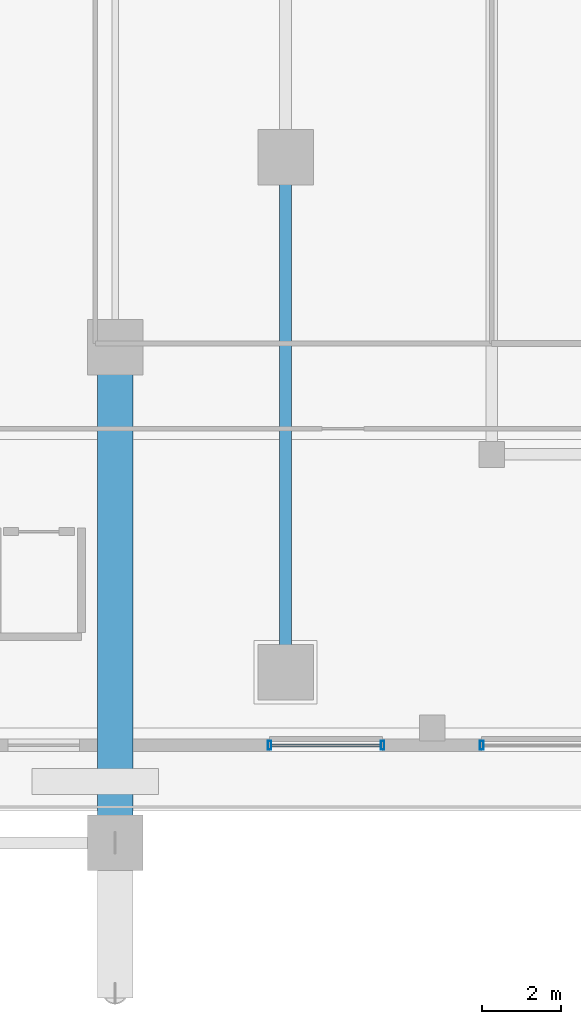
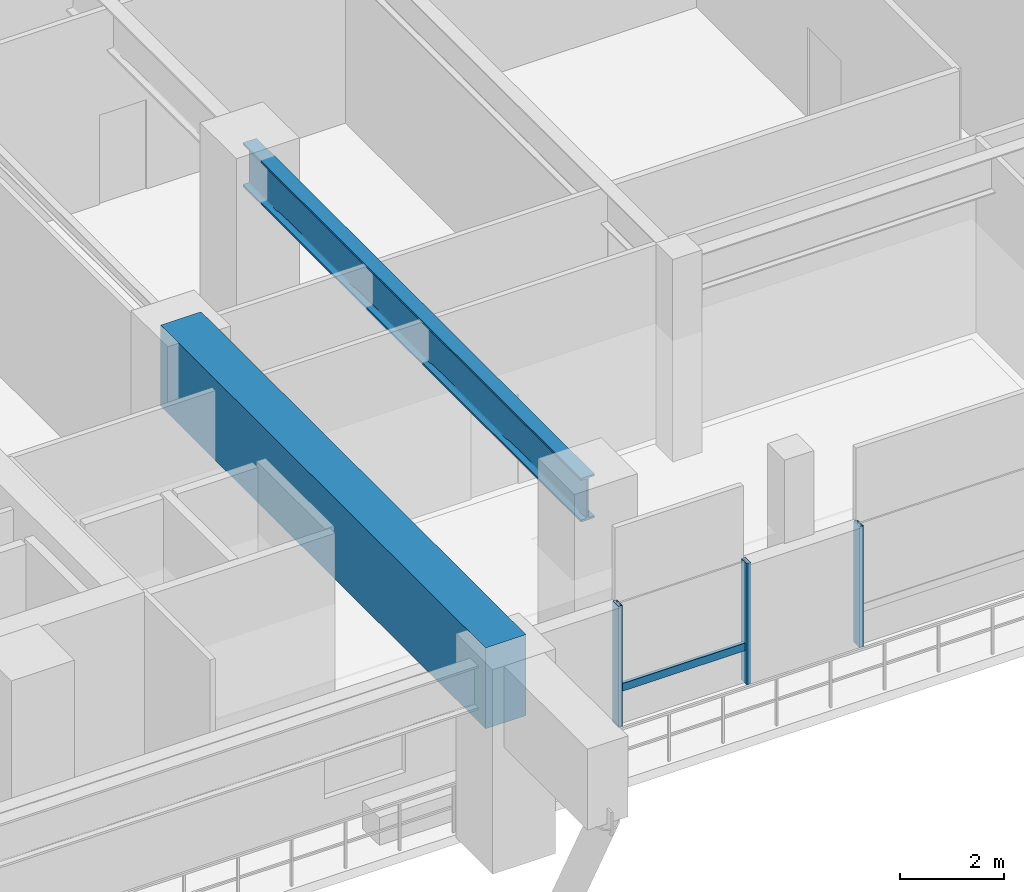
# One storey, part 2 of 25: 4 members, 2 beams, 2 elements without a shape of their own.
"""IFC4 building model written with IfcOpenShell, lengths in metres."""

from ifc_helpers import new_model, si_unit, direction, frame, origin, origin_2d, place, context, subcontext, project, spatial, rectangle, hollow_rectangle, i_section, extrude, material, material_profile, profile_set, type_object, element, aggregate, save


model = new_model("IFC4")

# Units and contexts
model_context = context("Model", 3, precision=1e-05, world=origin(), true_north=direction((0.0, 1.0)))
body_context = subcontext(model_context, "Body", "Model", "MODEL_VIEW")
ifc_project = project(units=[si_unit("LENGTHUNIT", "METRE"), si_unit("AREAUNIT", "SQUARE_METRE"), si_unit("VOLUMEUNIT", "CUBIC_METRE"), si_unit("PLANEANGLEUNIT", "RADIAN"), si_unit("MASSUNIT", "GRAM", prefix="KILO")], contexts=[model_context])

# Site, building, storey
site_placement = place(None, origin())
site = spatial("IfcSite", under=ifc_project, at=site_placement, CompositionType="ELEMENT")
building_placement = place(site_placement, origin())
building = spatial("IfcBuilding", under=site, at=building_placement, Name="Thornwick Lancets Civic Towers", CompositionType="ELEMENT")
storey_placement = place(building_placement, frame((0.0, 0.0, 23.10009765625)))
storey = spatial("IfcBuildingStorey", under=building, at=storey_placement, Name="L05", CompositionType="ELEMENT", Elevation=23.10009765625)

# Beams
ifc_material_1 = material(Name="Steel S460M", Category="steel")
ifc_material_profile_1 = material_profile(ifc_material_1, i_section(OverallWidth=0.305419921875, OverallDepth=1.02587890625, WebThickness=0.02685546875, FlangeThickness=0.0458984375, FilletRadius=0.030029296875, at=origin_2d()), Name="UKB 1016x305x437")
ifc_profile_set_1 = profile_set([ifc_material_profile_1], Name="Steel S460M")
beam_type_1 = type_object("IfcBeamType", Name="BM_TR_1016_437", PredefinedType="BEAM", material=ifc_profile_set_1)
beam_1_placement = place(storey_placement, frame((42.800048828125, 14.0, 4.046875), z_axis=(0.0, 1.0, 0.0), x_axis=(-1.0, 0.0, 0.0)))
element("IfcBeam", 1, at=beam_1_placement, inside=storey, type_object=beam_type_1, Name="BM-SPINE-L05-A-3-4", PredefinedType="BEAM", context=body_context, shape_type="SweptSolid", body=[
    extrude(i_section(OverallWidth=0.305419921875, OverallDepth=1.02587890625, WebThickness=0.02685546875, FlangeThickness=0.0458984375, FilletRadius=0.030029296875, at=origin_2d()), origin(), (0.0, 0.0, 1.0), 13.0),
])
ifc_material_2 = material(Name="Concrete C60/75", Category="concrete")
ifc_material_profile_2 = material_profile(ifc_material_2, rectangle(XDim=0.89990234375, YDim=1.89990234375, at=origin_2d()), Name="RC 900x1900")
ifc_profile_set_2 = profile_set([ifc_material_profile_2], Name="Concrete C60/75")
beam_type_2 = type_object("IfcBeamType", Name="BM_TR_RC1900", PredefinedType="BEAM", material=ifc_profile_set_2)
beam_2_placement = place(storey_placement, frame((38.5, 22.199951171875, 3.849853515625), z_axis=(0.0, -1.0, 0.0), x_axis=(1.0, 0.0, 0.0)))
element("IfcBeam", 2, at=beam_2_placement, inside=storey, type_object=beam_type_2, Name="TG-BACK-L06-A03", PredefinedType="BEAM", context=body_context, shape_type="SweptSolid", body=[
    extrude(rectangle(XDim=0.89990234375, YDim=1.89990234375, at=origin_2d()), origin(), (0.0, 0.0, 1.0), 12.5),
])

# Curtain wall, members
ifc_material_3 = material(Name="Terracotta-trimmed cascading podium ribbon curtain wall", Category="masonry")
curtain_wall_type = type_object("IfcCurtainWallType", Name="CW_SYS_02", PredefinedType="NOTDEFINED", material=ifc_material_3)
curtain_wall_1_placement = place(storey_placement, origin())
curtain_wall_1 = element("IfcCurtainWall", 3, at=curtain_wall_1_placement, inside=storey, type_object=curtain_wall_type, Name="L05 Curtain Wall CW-L05-POD-SC-S1", PredefinedType="NOTDEFINED")
ifc_material_4 = material(Name="Thermally broken bronze aluminium S355", Category="steel")
ifc_material_profile_3 = material_profile(ifc_material_4, hollow_rectangle(XDim=0.090087890625, YDim=0.219970703125, WallThickness=0.00634765625, at=origin_2d()), Name="RHS 220x90x6.3")
ifc_profile_set_3 = profile_set([ifc_material_profile_3], Name="Thermally broken bronze aluminium S355")
member_type_1 = type_object("IfcMemberType", Name="CW_MUL_220", PredefinedType="MULLION", material=ifc_profile_set_3)
member_1_placement = place(storey_placement, frame((42.39990234375, 12.159912109375, 0.0), z_axis=(0.0, 0.0, 1.0), x_axis=(1.0, 0.0, 0.0)))
member_1 = element("IfcMember", 4, at=member_1_placement, type_object=member_type_1, Name="CW-L05-POD-SC-S1 Mullion 0", PredefinedType="MULLION", context=body_context, shape_type="SweptSolid", body=[
    extrude(hollow_rectangle(XDim=0.090087890625, YDim=0.219970703125, WallThickness=0.00634765625, at=origin_2d()), origin(), (0.0, 0.0, 1.0), 2.83984375),
])
member_2_placement = place(storey_placement, frame((45.25, 12.159912109375, 0.0), z_axis=(0.0, 0.0, 1.0), x_axis=(1.0, 0.0, 0.0)))
member_2 = element("IfcMember", 5, at=member_2_placement, type_object=member_type_1, Name="CW-L05-POD-SC-S1 Mullion 1", PredefinedType="MULLION", context=body_context, shape_type="SweptSolid", body=[
    extrude(hollow_rectangle(XDim=0.090087890625, YDim=0.219970703125, WallThickness=0.00634765625, at=origin_2d()), origin(), (0.0, 0.0, 1.0), 2.83984375),
])

# Curtain wall, member
curtain_wall_2_placement = place(storey_placement, origin())
curtain_wall_2 = element("IfcCurtainWall", 6, at=curtain_wall_2_placement, inside=storey, type_object=curtain_wall_type, Name="L05 Curtain Wall CW-L05-POD-SC-S2", PredefinedType="NOTDEFINED")
member_3_placement = place(storey_placement, frame((47.75, 12.159912109375, 0.0), z_axis=(0.0, 0.0, 1.0), x_axis=(1.0, 0.0, 0.0)))
member_3 = element("IfcMember", 7, at=member_3_placement, type_object=member_type_1, Name="CW-L05-POD-SC-S2 Mullion 0", PredefinedType="MULLION", context=body_context, shape_type="SweptSolid", body=[
    extrude(hollow_rectangle(XDim=0.090087890625, YDim=0.219970703125, WallThickness=0.00634765625, at=origin_2d()), origin(), (0.0, 0.0, 1.0), 2.83984375),
])
aggregate(curtain_wall_2, [member_3])

# Member
ifc_material_profile_4 = material_profile(ifc_material_4, hollow_rectangle(XDim=0.074951171875, YDim=0.179931640625, WallThickness=0.006103515625, at=origin_2d()), Name="RHS 180x75x6")
ifc_profile_set_4 = profile_set([ifc_material_profile_4], Name="Thermally broken bronze aluminium S355")
member_type_2 = type_object("IfcMemberType", Name="CW_TRN_180", PredefinedType="USERDEFINED", material=ifc_profile_set_4)
member_4_placement = place(storey_placement, frame((42.419921875, 12.159912109375, 0.849853515625), z_axis=(1.0, 0.0, 0.0), x_axis=(0.0, 1.0, 0.0)))
member_4 = element("IfcMember", 8, at=member_4_placement, type_object=member_type_2, Name="CW-L05-POD-SC-S1 Transom 0", ObjectType="TRANSOM", PredefinedType="USERDEFINED", context=body_context, shape_type="SweptSolid", body=[
    extrude(hollow_rectangle(XDim=0.074951171875, YDim=0.179931640625, WallThickness=0.006103515625, at=origin_2d()), origin(), (0.0, 0.0, 1.0), 2.81005859375),
])

aggregate(curtain_wall_1, [member_1, member_2, member_4])

save(model, "model.ifc")
